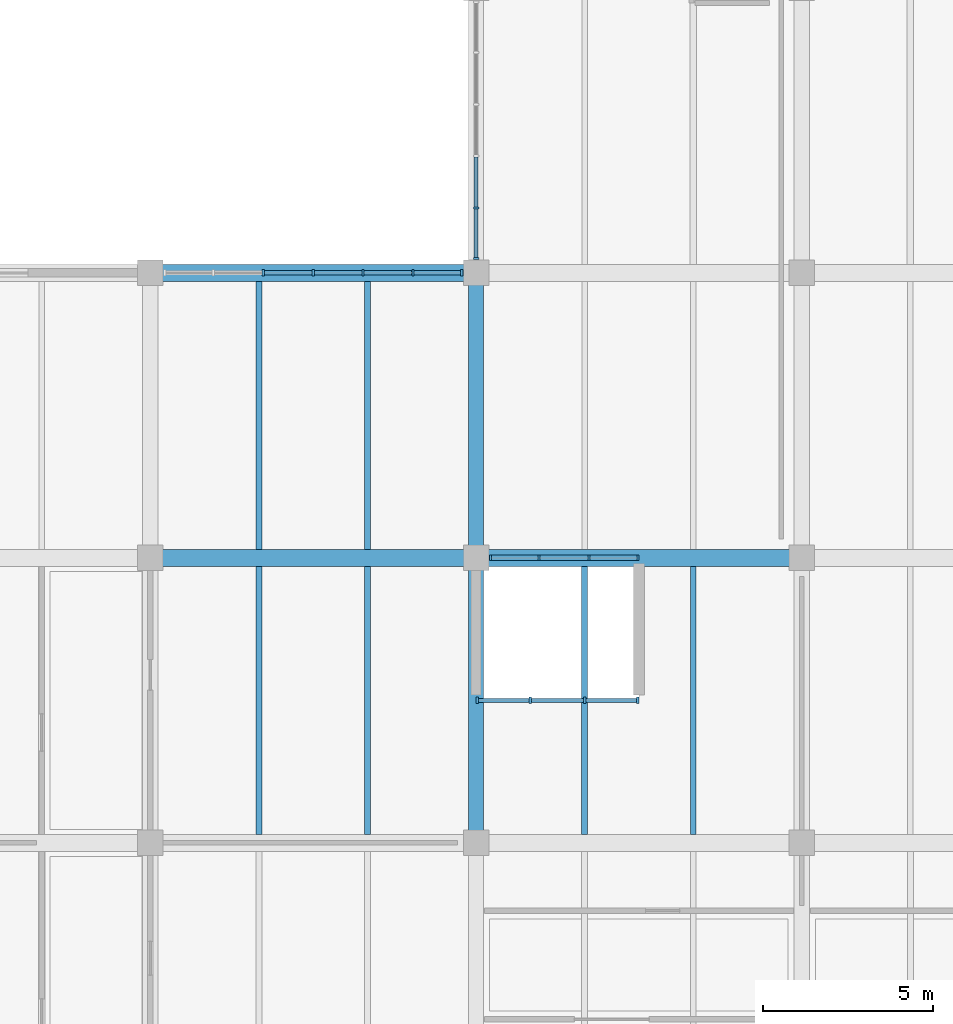
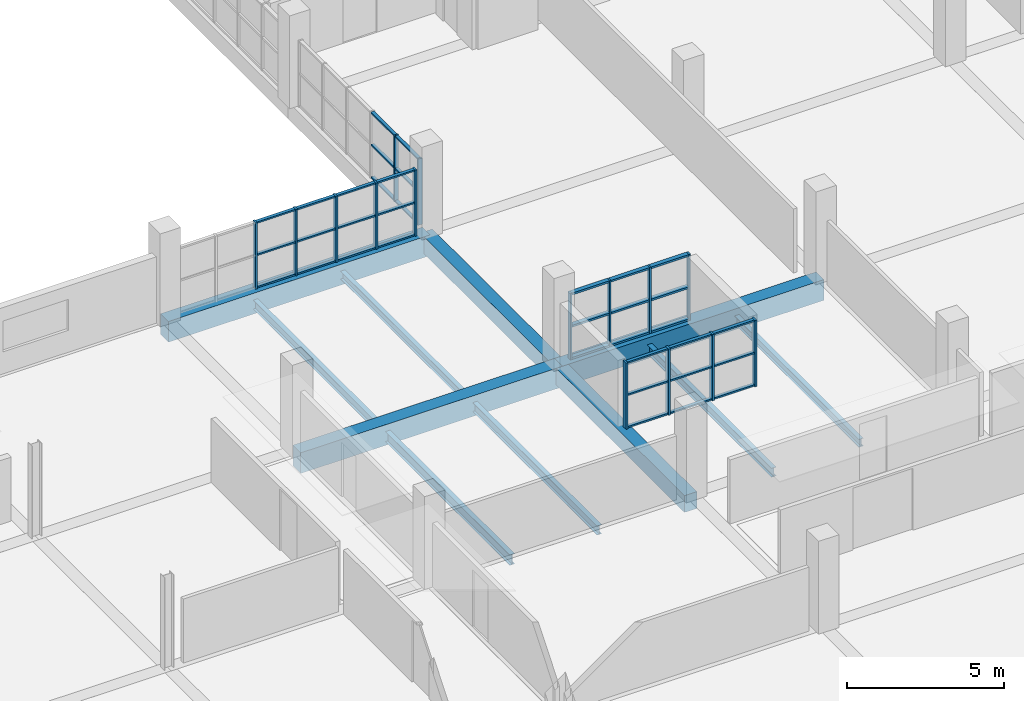
# One storey, part 76 of 147: 51 members, 11 beams, 4 elements without a shape of their own.
"""IFC4 building model written with IfcOpenShell, lengths in metres."""

from ifc_helpers import new_model, si_unit, direction, frame, origin, origin_2d, place, context, subcontext, project, spatial, rectangle, i_section, extrude, material, material_profile, profile_set, type_object, element, aggregate, save


model = new_model("IFC4")

# Units and contexts
model_context = context("Model", 3, precision=1e-05, world=origin(), true_north=direction((0.0, 1.0)))
body_context = subcontext(model_context, "Body", "Model", "MODEL_VIEW")
ifc_project = project(units=[si_unit("LENGTHUNIT", "METRE"), si_unit("AREAUNIT", "SQUARE_METRE"), si_unit("VOLUMEUNIT", "CUBIC_METRE"), si_unit("PLANEANGLEUNIT", "RADIAN"), si_unit("MASSUNIT", "GRAM", prefix="KILO")], contexts=[model_context])

# Site, building, storey
site_placement = place(None, origin())
site = spatial("IfcSite", under=ifc_project, at=site_placement, CompositionType="ELEMENT")
building_placement = place(site_placement, origin())
building = spatial("IfcBuilding", under=site, at=building_placement, Name="Oolite Switchyard Hospital", CompositionType="ELEMENT")
storey_placement = place(building_placement, frame((0.0, 0.0, 9.89990234375)))
storey = spatial("IfcBuildingStorey", under=building, at=storey_placement, Name="L02", CompositionType="ELEMENT", Elevation=9.89990234375)

# Beams
ifc_material_1 = material(Name="Concrete C40/50", Category="concrete")
ifc_material_profile_1 = material_profile(ifc_material_1, rectangle(XDim=0.449951171875, YDim=0.64990234375, at=origin_2d()), Name="RCB450X650")
ifc_profile_set_1 = profile_set([ifc_material_profile_1], Name="Concrete C40/50")
beam_type_1 = type_object("IfcBeamType", Name="BM-RC450X650", PredefinedType="BEAM", material=ifc_profile_set_1)
beam_1_placement = place(storey_placement, frame((134.39990234375, 92.39990234375, -0.324951171875), z_axis=(0.0, 1.0, 0.0), x_axis=(-1.0, 0.0, 0.0)))
element("IfcBeam", 1, at=beam_1_placement, inside=storey, type_object=beam_type_1, Name="L02 Y-Girder 1409", PredefinedType="BEAM", context=body_context, shape_type="SweptSolid", body=[
    extrude(rectangle(XDim=0.449951171875, YDim=0.64990234375, at=origin_2d()), origin(), (0.0, 0.0, 1.0), 8.400146484375),
])
beam_2_placement = place(storey_placement, frame((134.39990234375, 100.800048828125, -0.324951171875), z_axis=(0.0, 1.0, 0.0), x_axis=(-1.0, 0.0, 0.0)))
element("IfcBeam", 2, at=beam_2_placement, inside=storey, type_object=beam_type_1, Name="L02 Y-Girder 1410", PredefinedType="BEAM", context=body_context, shape_type="SweptSolid", body=[
    extrude(rectangle(XDim=0.449951171875, YDim=0.64990234375, at=origin_2d()), origin(), (0.0, 0.0, 1.0), 8.39990234375),
])
ifc_material_profile_2 = material_profile(ifc_material_1, rectangle(XDim=0.5, YDim=0.800048828125, at=origin_2d()), Name="RCB500X800")
ifc_profile_set_2 = profile_set([ifc_material_profile_2], Name="Concrete C40/50")
beam_type_2 = type_object("IfcBeamType", Name="BM-RC500X800", PredefinedType="BEAM", material=ifc_profile_set_2)
beam_3_placement = place(storey_placement, frame((124.800048828125, 100.800048828125, -0.39990234375), z_axis=(1.0, 0.0, 0.0), x_axis=(0.0, 1.0, 0.0)))
element("IfcBeam", 3, at=beam_3_placement, inside=storey, type_object=beam_type_2, Name="L02 X-Girder 1173", PredefinedType="BEAM", context=body_context, shape_type="SweptSolid", body=[
    extrude(rectangle(XDim=0.5, YDim=0.800048828125, at=origin_2d()), origin(), (0.0, 0.0, 1.0), 9.599853515625),
])
beam_4_placement = place(storey_placement, frame((134.39990234375, 100.800048828125, -0.39990234375), z_axis=(1.0, 0.0, 0.0), x_axis=(0.0, 1.0, 0.0)))
element("IfcBeam", 4, at=beam_4_placement, inside=storey, type_object=beam_type_2, Name="L02 X-Girder 1174", PredefinedType="BEAM", context=body_context, shape_type="SweptSolid", body=[
    extrude(rectangle(XDim=0.5, YDim=0.800048828125, at=origin_2d()), origin(), (0.0, 0.0, 1.0), 9.60009765625),
])
beam_5_placement = place(storey_placement, frame((124.800048828125, 109.199951171875, -0.39990234375), z_axis=(1.0, 0.0, 0.0), x_axis=(0.0, 1.0, 0.0)))
element("IfcBeam", 5, at=beam_5_placement, inside=storey, type_object=beam_type_2, Name="L02 X-Girder 1194", PredefinedType="BEAM", context=body_context, shape_type="SweptSolid", body=[
    extrude(rectangle(XDim=0.5, YDim=0.800048828125, at=origin_2d()), origin(), (0.0, 0.0, 1.0), 9.599853515625),
])
ifc_material_2 = material(Name="Steel ASTM A992 Grade 50", Category="steel")
ifc_material_profile_3 = material_profile(ifc_material_2, i_section(OverallWidth=0.1650390625, OverallDepth=0.31005859375, WebThickness=0.006103515625, FlangeThickness=0.010009765625, at=origin_2d()), Name="W12X26")
ifc_profile_set_3 = profile_set([ifc_material_profile_3], Name="Steel ASTM A992 Grade 50")
beam_type_3 = type_object("IfcBeamType", Name="BM-W12X26", PredefinedType="JOIST", material=ifc_profile_set_3)
beam_6_placement = place(storey_placement, frame((131.199951171875, 101.050048828125, -0.414794921875), z_axis=(0.0, 1.0, 0.0), x_axis=(-1.0, 0.0, 0.0)))
element("IfcBeam", 6, at=beam_6_placement, inside=storey, type_object=beam_type_3, Name="L02 Secondary Steel Joist 1763", PredefinedType="JOIST", context=body_context, shape_type="SweptSolid", body=[
    extrude(i_section(OverallWidth=0.1650390625, OverallDepth=0.31005859375, WebThickness=0.006103515625, FlangeThickness=0.010009765625, at=origin_2d()), origin(), (0.0, 0.0, 1.0), 7.89990234375),
])
beam_7_placement = place(storey_placement, frame((140.800048828125, 92.64990234375, -0.414794921875), z_axis=(0.0, 1.0, 0.0), x_axis=(-1.0, 0.0, 0.0)))
element("IfcBeam", 7, at=beam_7_placement, inside=storey, type_object=beam_type_3, Name="L02 Secondary Steel Joist 1783", PredefinedType="JOIST", context=body_context, shape_type="SweptSolid", body=[
    extrude(i_section(OverallWidth=0.1650390625, OverallDepth=0.31005859375, WebThickness=0.006103515625, FlangeThickness=0.010009765625, at=origin_2d()), origin(), (0.0, 0.0, 1.0), 7.900146484375),
])
ifc_material_profile_4 = material_profile(ifc_material_2, i_section(OverallWidth=0.1708984375, OverallDepth=0.35107421875, WebThickness=0.007080078125, FlangeThickness=0.010009765625, at=origin_2d()), Name="W14X30")
ifc_profile_set_4 = profile_set([ifc_material_profile_4], Name="Steel ASTM A992 Grade 50")
beam_type_4 = type_object("IfcBeamType", Name="BM-W14X30", PredefinedType="JOIST", material=ifc_profile_set_4)
beam_8_placement = place(storey_placement, frame((131.199951171875, 92.64990234375, -0.434814453125), z_axis=(0.0, 1.0, 0.0), x_axis=(-1.0, 0.0, 0.0)))
element("IfcBeam", 8, at=beam_8_placement, inside=storey, type_object=beam_type_4, Name="L02 Secondary Steel Joist 1761", PredefinedType="JOIST", context=body_context, shape_type="SweptSolid", body=[
    extrude(i_section(OverallWidth=0.1708984375, OverallDepth=0.35107421875, WebThickness=0.007080078125, FlangeThickness=0.010009765625, at=origin_2d()), origin(), (0.0, 0.0, 1.0), 7.900146484375),
])
beam_9_placement = place(storey_placement, frame((128.0, 101.050048828125, -0.434814453125), z_axis=(0.0, 1.0, 0.0), x_axis=(-1.0, 0.0, 0.0)))
element("IfcBeam", 9, at=beam_9_placement, inside=storey, type_object=beam_type_4, Name="L02 Secondary Steel Joist 1762", PredefinedType="JOIST", context=body_context, shape_type="SweptSolid", body=[
    extrude(i_section(OverallWidth=0.1708984375, OverallDepth=0.35107421875, WebThickness=0.007080078125, FlangeThickness=0.010009765625, at=origin_2d()), origin(), (0.0, 0.0, 1.0), 7.89990234375),
])
beam_10_placement = place(storey_placement, frame((137.60009765625, 92.64990234375, -0.434814453125), z_axis=(0.0, 1.0, 0.0), x_axis=(-1.0, 0.0, 0.0)))
element("IfcBeam", 10, at=beam_10_placement, inside=storey, type_object=beam_type_4, Name="L02 Secondary Steel Joist 1782", PredefinedType="JOIST", context=body_context, shape_type="SweptSolid", body=[
    extrude(i_section(OverallWidth=0.1708984375, OverallDepth=0.35107421875, WebThickness=0.007080078125, FlangeThickness=0.010009765625, at=origin_2d()), origin(), (0.0, 0.0, 1.0), 7.900146484375),
])
ifc_material_profile_5 = material_profile(ifc_material_2, i_section(OverallWidth=0.177978515625, OverallDepth=0.403076171875, WebThickness=0.008056640625, FlangeThickness=0.010986328125, at=origin_2d()), Name="W16X36")
ifc_profile_set_5 = profile_set([ifc_material_profile_5], Name="Steel ASTM A992 Grade 50")
beam_type_5 = type_object("IfcBeamType", Name="BM-W16X36", PredefinedType="JOIST", material=ifc_profile_set_5)
beam_11_placement = place(storey_placement, frame((128.0, 92.64990234375, -0.4609375), z_axis=(0.0, 1.0, 0.0), x_axis=(-1.0, 0.0, 0.0)))
element("IfcBeam", 11, at=beam_11_placement, inside=storey, type_object=beam_type_5, Name="L02 Secondary Steel Joist 1760", PredefinedType="JOIST", context=body_context, shape_type="SweptSolid", body=[
    extrude(i_section(OverallWidth=0.177978515625, OverallDepth=0.403076171875, WebThickness=0.008056640625, FlangeThickness=0.010986328125, at=origin_2d()), origin(), (0.0, 0.0, 1.0), 7.900146484375),
])

# Curtain wall, members
ifc_material_3 = material(Name="Thermally broken aluminum frame with laminated impact glazing", Category="aluminium")
curtain_wall_type_1 = type_object("IfcCurtainWallType", Name="CW-UNIT-84X36", PredefinedType="USERDEFINED", material=ifc_material_3)
curtain_wall_1_placement = place(storey_placement, origin())
curtain_wall_1 = element("IfcCurtainWall", 12, at=curtain_wall_1_placement, inside=storey, type_object=curtain_wall_type_1, Name="L02 Unitised Curtain Wall 259", ObjectType="UNITISED", PredefinedType="USERDEFINED")
ifc_material_4 = material(Name="Aluminium 6063-T6", Category="aluminium")
ifc_material_profile_6 = material_profile(ifc_material_4, rectangle(XDim=0.159912109375, YDim=0.06005859375, at=origin_2d()), Name="CWM60X160")
ifc_profile_set_6 = profile_set([ifc_material_profile_6], Name="Aluminium 6063-T6")
member_type_1 = type_object("IfcMemberType", Name="CW-MUL-180", PredefinedType="MULLION", material=ifc_profile_set_6)
member_1_placement = place(storey_placement, frame((139.169921875, 100.800048828125, 0.0), z_axis=(0.0, 0.0, 1.0), x_axis=(0.0, -1.0, 0.0)))
member_1 = element("IfcMember", 13, at=member_1_placement, type_object=member_type_1, Name="CW-08 mullion 1", PredefinedType="MULLION", context=body_context, shape_type="SweptSolid", body=[
    extrude(rectangle(XDim=0.159912109375, YDim=0.06005859375, at=origin_2d()), origin(), (0.0, 0.0, 1.0), 2.570068359375),
])
member_2_placement = place(storey_placement, frame((137.72998046875, 100.800048828125, 0.0), z_axis=(0.0, 0.0, 1.0), x_axis=(0.0, -1.0, 0.0)))
member_2 = element("IfcMember", 14, at=member_2_placement, type_object=member_type_1, Name="CW-08 mullion 2", PredefinedType="MULLION", context=body_context, shape_type="SweptSolid", body=[
    extrude(rectangle(XDim=0.159912109375, YDim=0.06005859375, at=origin_2d()), origin(), (0.0, 0.0, 1.0), 2.570068359375),
])
member_3_placement = place(storey_placement, frame((136.260009765625, 100.800048828125, 0.0), z_axis=(0.0, 0.0, 1.0), x_axis=(0.0, -1.0, 0.0)))
member_3 = element("IfcMember", 15, at=member_3_placement, type_object=member_type_1, Name="CW-08 mullion 3", PredefinedType="MULLION", context=body_context, shape_type="SweptSolid", body=[
    extrude(rectangle(XDim=0.159912109375, YDim=0.06005859375, at=origin_2d()), origin(), (0.0, 0.0, 1.0), 2.570068359375),
])
member_4_placement = place(storey_placement, frame((134.820068359375, 100.800048828125, 0.0), z_axis=(0.0, 0.0, 1.0), x_axis=(0.0, -1.0, 0.0)))
member_4 = element("IfcMember", 16, at=member_4_placement, type_object=member_type_1, Name="CW-08 mullion 4", PredefinedType="MULLION", context=body_context, shape_type="SweptSolid", body=[
    extrude(rectangle(XDim=0.159912109375, YDim=0.06005859375, at=origin_2d()), origin(), (0.0, 0.0, 1.0), 2.570068359375),
])

curtain_wall_2_placement = place(storey_placement, origin())
curtain_wall_2 = element("IfcCurtainWall", 17, at=curtain_wall_2_placement, inside=storey, type_object=curtain_wall_type_1, Name="L02 Unitised Curtain Wall 298", ObjectType="UNITISED", PredefinedType="USERDEFINED")
member_5_placement = place(storey_placement, frame((134.39990234375, 109.6201171875, 0.0), z_axis=(0.0, 0.0, 1.0), x_axis=(-1.0, 0.0, 0.0)))
member_5 = element("IfcMember", 18, at=member_5_placement, type_object=member_type_1, Name="CW-08 mullion 1", PredefinedType="MULLION", context=body_context, shape_type="SweptSolid", body=[
    extrude(rectangle(XDim=0.159912109375, YDim=0.06005859375, at=origin_2d()), origin(), (0.0, 0.0, 1.0), 2.570068359375),
])
member_6_placement = place(storey_placement, frame((134.39990234375, 111.114013671875, 0.0), z_axis=(0.0, 0.0, 1.0), x_axis=(-1.0, 0.0, 0.0)))
member_6 = element("IfcMember", 19, at=member_6_placement, type_object=member_type_1, Name="CW-08 mullion 2", PredefinedType="MULLION", context=body_context, shape_type="SweptSolid", body=[
    extrude(rectangle(XDim=0.159912109375, YDim=0.06005859375, at=origin_2d()), origin(), (0.0, 0.0, 1.0), 2.570068359375),
])

curtain_wall_type_2 = type_object("IfcCurtainWallType", Name="CW-UNIT-96X36", PredefinedType="USERDEFINED", material=ifc_material_3)
curtain_wall_3_placement = place(storey_placement, origin())
curtain_wall_3 = element("IfcCurtainWall", 20, at=curtain_wall_3_placement, inside=storey, type_object=curtain_wall_type_2, Name="L02 Unitised Curtain Wall 266", ObjectType="UNITISED", PredefinedType="USERDEFINED")
ifc_material_profile_7 = material_profile(ifc_material_4, rectangle(XDim=0.179931640625, YDim=0.070068359375, at=origin_2d()), Name="CWM70X180")
ifc_profile_set_7 = profile_set([ifc_material_profile_7], Name="Aluminium 6063-T6")
member_type_2 = type_object("IfcMemberType", Name="CW-MUL-220", PredefinedType="MULLION", material=ifc_profile_set_7)
member_7_placement = place(storey_placement, frame((128.1298828125, 109.199951171875, 0.0), z_axis=(0.0, 0.0, 1.0), x_axis=(0.0, 1.0, 0.0)))
member_7 = element("IfcMember", 21, at=member_7_placement, type_object=member_type_2, Name="CW-03 mullion 3", PredefinedType="MULLION", context=body_context, shape_type="SweptSolid", body=[
    extrude(rectangle(XDim=0.179931640625, YDim=0.070068359375, at=origin_2d()), origin(), (0.0, 0.0, 1.0), 2.570068359375),
])
member_8_placement = place(storey_placement, frame((129.60009765625, 109.199951171875, 0.0), z_axis=(0.0, 0.0, 1.0), x_axis=(0.0, 1.0, 0.0)))
member_8 = element("IfcMember", 22, at=member_8_placement, type_object=member_type_2, Name="CW-03 mullion 4", PredefinedType="MULLION", context=body_context, shape_type="SweptSolid", body=[
    extrude(rectangle(XDim=0.179931640625, YDim=0.070068359375, at=origin_2d()), origin(), (0.0, 0.0, 1.0), 2.570068359375),
])
member_9_placement = place(storey_placement, frame((131.070068359375, 109.199951171875, 0.0), z_axis=(0.0, 0.0, 1.0), x_axis=(0.0, 1.0, 0.0)))
member_9 = element("IfcMember", 23, at=member_9_placement, type_object=member_type_2, Name="CW-03 mullion 5", PredefinedType="MULLION", context=body_context, shape_type="SweptSolid", body=[
    extrude(rectangle(XDim=0.179931640625, YDim=0.070068359375, at=origin_2d()), origin(), (0.0, 0.0, 1.0), 2.570068359375),
])
member_10_placement = place(storey_placement, frame((132.5400390625, 109.199951171875, 0.0), z_axis=(0.0, 0.0, 1.0), x_axis=(0.0, 1.0, 0.0)))
member_10 = element("IfcMember", 24, at=member_10_placement, type_object=member_type_2, Name="CW-03 mullion 6", PredefinedType="MULLION", context=body_context, shape_type="SweptSolid", body=[
    extrude(rectangle(XDim=0.179931640625, YDim=0.070068359375, at=origin_2d()), origin(), (0.0, 0.0, 1.0), 2.570068359375),
])
member_11_placement = place(storey_placement, frame((133.97509765625, 109.199951171875, 0.0), z_axis=(0.0, 0.0, 1.0), x_axis=(0.0, 1.0, 0.0)))
member_11 = element("IfcMember", 25, at=member_11_placement, type_object=member_type_2, Name="CW-03 mullion 7", PredefinedType="MULLION", context=body_context, shape_type="SweptSolid", body=[
    extrude(rectangle(XDim=0.179931640625, YDim=0.070068359375, at=origin_2d()), origin(), (0.0, 0.0, 1.0), 2.570068359375),
])

curtain_wall_4_placement = place(storey_placement, origin())
curtain_wall_4 = element("IfcCurtainWall", 26, at=curtain_wall_4_placement, inside=storey, type_object=curtain_wall_type_1, Name="L02 Unitised Curtain Wall 258", ObjectType="UNITISED", PredefinedType="USERDEFINED")
ifc_material_profile_8 = material_profile(ifc_material_4, rectangle(XDim=0.199951171875, YDim=0.074951171875, at=origin_2d()), Name="CWM75X200")
ifc_profile_set_8 = profile_set([ifc_material_profile_8], Name="Aluminium 6063-T6")
member_type_3 = type_object("IfcMemberType", Name="CW-MUL-260", PredefinedType="MULLION", material=ifc_profile_set_8)
member_12_placement = place(storey_placement, frame((134.4375, 96.60009765625, 0.0), z_axis=(0.0, 0.0, 1.0), x_axis=(0.0, 1.0, 0.0)))
member_12 = element("IfcMember", 27, at=member_12_placement, type_object=member_type_3, Name="CW-08 mullion 1", PredefinedType="MULLION", context=body_context, shape_type="SweptSolid", body=[
    extrude(rectangle(XDim=0.199951171875, YDim=0.074951171875, at=origin_2d()), origin(), (0.0, 0.0, 1.0), 2.570068359375),
])
member_13_placement = place(storey_placement, frame((136.0, 96.60009765625, 0.0), z_axis=(0.0, 0.0, 1.0), x_axis=(0.0, 1.0, 0.0)))
member_13 = element("IfcMember", 28, at=member_13_placement, type_object=member_type_3, Name="CW-08 mullion 2", PredefinedType="MULLION", context=body_context, shape_type="SweptSolid", body=[
    extrude(rectangle(XDim=0.199951171875, YDim=0.074951171875, at=origin_2d()), origin(), (0.0, 0.0, 1.0), 2.570068359375),
])
member_14_placement = place(storey_placement, frame((137.60009765625, 96.60009765625, 0.0), z_axis=(0.0, 0.0, 1.0), x_axis=(0.0, 1.0, 0.0)))
member_14 = element("IfcMember", 29, at=member_14_placement, type_object=member_type_3, Name="CW-08 mullion 3", PredefinedType="MULLION", context=body_context, shape_type="SweptSolid", body=[
    extrude(rectangle(XDim=0.199951171875, YDim=0.074951171875, at=origin_2d()), origin(), (0.0, 0.0, 1.0), 2.570068359375),
])
member_15_placement = place(storey_placement, frame((139.16259765625, 96.60009765625, 0.0), z_axis=(0.0, 0.0, 1.0), x_axis=(0.0, 1.0, 0.0)))
member_15 = element("IfcMember", 30, at=member_15_placement, type_object=member_type_3, Name="CW-08 mullion 4", PredefinedType="MULLION", context=body_context, shape_type="SweptSolid", body=[
    extrude(rectangle(XDim=0.199951171875, YDim=0.074951171875, at=origin_2d()), origin(), (0.0, 0.0, 1.0), 2.570068359375),
])
ifc_material_profile_9 = material_profile(ifc_material_4, rectangle(XDim=0.1201171875, YDim=0.06005859375, at=origin_2d()), Name="CWT60X120")
ifc_profile_set_9 = profile_set([ifc_material_profile_9], Name="Aluminium 6063-T6")
member_type_4 = type_object("IfcMemberType", Name="CW-TRN-150", PredefinedType="USERDEFINED", material=ifc_profile_set_9)
member_16_placement = place(storey_placement, frame((134.47509765625, 96.60009765625, 0.030029296875), z_axis=(1.0, 0.0, 0.0), x_axis=(0.0, 1.0, 0.0)))
member_16 = element("IfcMember", 31, at=member_16_placement, type_object=member_type_4, Name="CW-08 transom 1.1", ObjectType="TRANSOM", PredefinedType="USERDEFINED", context=body_context, shape_type="SweptSolid", body=[
    extrude(rectangle(XDim=0.1201171875, YDim=0.06005859375, at=origin_2d()), origin(), (0.0, 0.0, 1.0), 1.4873046875),
])
member_17_placement = place(storey_placement, frame((134.47509765625, 96.60009765625, 1.28515625), z_axis=(1.0, 0.0, 0.0), x_axis=(0.0, 1.0, 0.0)))
member_17 = element("IfcMember", 32, at=member_17_placement, type_object=member_type_4, Name="CW-08 transom 1.2", ObjectType="TRANSOM", PredefinedType="USERDEFINED", context=body_context, shape_type="SweptSolid", body=[
    extrude(rectangle(XDim=0.1201171875, YDim=0.06005859375, at=origin_2d()), origin(), (0.0, 0.0, 1.0), 1.4873046875),
])
member_18_placement = place(storey_placement, frame((134.47509765625, 96.60009765625, 2.5400390625), z_axis=(1.0, 0.0, 0.0), x_axis=(0.0, 1.0, 0.0)))
member_18 = element("IfcMember", 33, at=member_18_placement, type_object=member_type_4, Name="CW-08 transom 1.3", ObjectType="TRANSOM", PredefinedType="USERDEFINED", context=body_context, shape_type="SweptSolid", body=[
    extrude(rectangle(XDim=0.1201171875, YDim=0.06005859375, at=origin_2d()), origin(), (0.0, 0.0, 1.0), 1.4873046875),
])
member_19_placement = place(storey_placement, frame((136.03759765625, 96.60009765625, 0.030029296875), z_axis=(1.0, 0.0, 0.0), x_axis=(0.0, 1.0, 0.0)))
member_19 = element("IfcMember", 34, at=member_19_placement, type_object=member_type_4, Name="CW-08 transom 2.1", ObjectType="TRANSOM", PredefinedType="USERDEFINED", context=body_context, shape_type="SweptSolid", body=[
    extrude(rectangle(XDim=0.1201171875, YDim=0.06005859375, at=origin_2d()), origin(), (0.0, 0.0, 1.0), 1.52490234375),
])
member_20_placement = place(storey_placement, frame((136.03759765625, 96.60009765625, 1.28515625), z_axis=(1.0, 0.0, 0.0), x_axis=(0.0, 1.0, 0.0)))
member_20 = element("IfcMember", 35, at=member_20_placement, type_object=member_type_4, Name="CW-08 transom 2.2", ObjectType="TRANSOM", PredefinedType="USERDEFINED", context=body_context, shape_type="SweptSolid", body=[
    extrude(rectangle(XDim=0.1201171875, YDim=0.06005859375, at=origin_2d()), origin(), (0.0, 0.0, 1.0), 1.52490234375),
])
member_21_placement = place(storey_placement, frame((136.03759765625, 96.60009765625, 2.5400390625), z_axis=(1.0, 0.0, 0.0), x_axis=(0.0, 1.0, 0.0)))
member_21 = element("IfcMember", 36, at=member_21_placement, type_object=member_type_4, Name="CW-08 transom 2.3", ObjectType="TRANSOM", PredefinedType="USERDEFINED", context=body_context, shape_type="SweptSolid", body=[
    extrude(rectangle(XDim=0.1201171875, YDim=0.06005859375, at=origin_2d()), origin(), (0.0, 0.0, 1.0), 1.52490234375),
])
member_22_placement = place(storey_placement, frame((137.637451171875, 96.60009765625, 0.030029296875), z_axis=(1.0, 0.0, 0.0), x_axis=(0.0, 1.0, 0.0)))
member_22 = element("IfcMember", 37, at=member_22_placement, type_object=member_type_4, Name="CW-08 transom 3.1", ObjectType="TRANSOM", PredefinedType="USERDEFINED", context=body_context, shape_type="SweptSolid", body=[
    extrude(rectangle(XDim=0.1201171875, YDim=0.06005859375, at=origin_2d()), origin(), (0.0, 0.0, 1.0), 1.487548828125),
])
member_23_placement = place(storey_placement, frame((137.637451171875, 96.60009765625, 1.28515625), z_axis=(1.0, 0.0, 0.0), x_axis=(0.0, 1.0, 0.0)))
member_23 = element("IfcMember", 38, at=member_23_placement, type_object=member_type_4, Name="CW-08 transom 3.2", ObjectType="TRANSOM", PredefinedType="USERDEFINED", context=body_context, shape_type="SweptSolid", body=[
    extrude(rectangle(XDim=0.1201171875, YDim=0.06005859375, at=origin_2d()), origin(), (0.0, 0.0, 1.0), 1.487548828125),
])
member_24_placement = place(storey_placement, frame((137.637451171875, 96.60009765625, 2.5400390625), z_axis=(1.0, 0.0, 0.0), x_axis=(0.0, 1.0, 0.0)))
member_24 = element("IfcMember", 39, at=member_24_placement, type_object=member_type_4, Name="CW-08 transom 3.3", ObjectType="TRANSOM", PredefinedType="USERDEFINED", context=body_context, shape_type="SweptSolid", body=[
    extrude(rectangle(XDim=0.1201171875, YDim=0.06005859375, at=origin_2d()), origin(), (0.0, 0.0, 1.0), 1.487548828125),
])
aggregate(curtain_wall_4, [member_12, member_13, member_14, member_15, member_16, member_17, member_18, member_19, member_20, member_21, member_22, member_23, member_24])

# Member
member_25_placement = place(storey_placement, frame((128.1650390625, 109.199951171875, 0.030029296875), z_axis=(1.0, 0.0, 0.0), x_axis=(0.0, 1.0, 0.0)))
member_25 = element("IfcMember", 40, at=member_25_placement, type_object=member_type_4, Name="CW-03 transom 3.1", ObjectType="TRANSOM", PredefinedType="USERDEFINED", context=body_context, shape_type="SweptSolid", body=[
    extrude(rectangle(XDim=0.1201171875, YDim=0.06005859375, at=origin_2d()), origin(), (0.0, 0.0, 1.0), 1.39990234375),
])

member_26_placement = place(storey_placement, frame((128.1650390625, 109.199951171875, 1.28515625), z_axis=(1.0, 0.0, 0.0), x_axis=(0.0, 1.0, 0.0)))
member_26 = element("IfcMember", 41, at=member_26_placement, type_object=member_type_4, Name="CW-03 transom 3.2", ObjectType="TRANSOM", PredefinedType="USERDEFINED", context=body_context, shape_type="SweptSolid", body=[
    extrude(rectangle(XDim=0.1201171875, YDim=0.06005859375, at=origin_2d()), origin(), (0.0, 0.0, 1.0), 1.39990234375),
])

member_27_placement = place(storey_placement, frame((128.1650390625, 109.199951171875, 2.5400390625), z_axis=(1.0, 0.0, 0.0), x_axis=(0.0, 1.0, 0.0)))
member_27 = element("IfcMember", 42, at=member_27_placement, type_object=member_type_4, Name="CW-03 transom 3.3", ObjectType="TRANSOM", PredefinedType="USERDEFINED", context=body_context, shape_type="SweptSolid", body=[
    extrude(rectangle(XDim=0.1201171875, YDim=0.06005859375, at=origin_2d()), origin(), (0.0, 0.0, 1.0), 1.39990234375),
])

member_28_placement = place(storey_placement, frame((129.635009765625, 109.199951171875, 0.030029296875), z_axis=(1.0, 0.0, 0.0), x_axis=(0.0, 1.0, 0.0)))
member_28 = element("IfcMember", 43, at=member_28_placement, type_object=member_type_4, Name="CW-03 transom 4.1", ObjectType="TRANSOM", PredefinedType="USERDEFINED", context=body_context, shape_type="SweptSolid", body=[
    extrude(rectangle(XDim=0.1201171875, YDim=0.06005859375, at=origin_2d()), origin(), (0.0, 0.0, 1.0), 1.39990234375),
])

member_29_placement = place(storey_placement, frame((129.635009765625, 109.199951171875, 1.28515625), z_axis=(1.0, 0.0, 0.0), x_axis=(0.0, 1.0, 0.0)))
member_29 = element("IfcMember", 44, at=member_29_placement, type_object=member_type_4, Name="CW-03 transom 4.2", ObjectType="TRANSOM", PredefinedType="USERDEFINED", context=body_context, shape_type="SweptSolid", body=[
    extrude(rectangle(XDim=0.1201171875, YDim=0.06005859375, at=origin_2d()), origin(), (0.0, 0.0, 1.0), 1.39990234375),
])

member_30_placement = place(storey_placement, frame((129.635009765625, 109.199951171875, 2.5400390625), z_axis=(1.0, 0.0, 0.0), x_axis=(0.0, 1.0, 0.0)))
member_30 = element("IfcMember", 45, at=member_30_placement, type_object=member_type_4, Name="CW-03 transom 4.3", ObjectType="TRANSOM", PredefinedType="USERDEFINED", context=body_context, shape_type="SweptSolid", body=[
    extrude(rectangle(XDim=0.1201171875, YDim=0.06005859375, at=origin_2d()), origin(), (0.0, 0.0, 1.0), 1.39990234375),
])

member_31_placement = place(storey_placement, frame((131.10498046875, 109.199951171875, 0.030029296875), z_axis=(1.0, 0.0, 0.0), x_axis=(0.0, 1.0, 0.0)))
member_31 = element("IfcMember", 46, at=member_31_placement, type_object=member_type_4, Name="CW-03 transom 5.1", ObjectType="TRANSOM", PredefinedType="USERDEFINED", context=body_context, shape_type="SweptSolid", body=[
    extrude(rectangle(XDim=0.1201171875, YDim=0.06005859375, at=origin_2d()), origin(), (0.0, 0.0, 1.0), 1.39990234375),
])

member_32_placement = place(storey_placement, frame((131.10498046875, 109.199951171875, 1.28515625), z_axis=(1.0, 0.0, 0.0), x_axis=(0.0, 1.0, 0.0)))
member_32 = element("IfcMember", 47, at=member_32_placement, type_object=member_type_4, Name="CW-03 transom 5.2", ObjectType="TRANSOM", PredefinedType="USERDEFINED", context=body_context, shape_type="SweptSolid", body=[
    extrude(rectangle(XDim=0.1201171875, YDim=0.06005859375, at=origin_2d()), origin(), (0.0, 0.0, 1.0), 1.39990234375),
])

member_33_placement = place(storey_placement, frame((131.10498046875, 109.199951171875, 2.5400390625), z_axis=(1.0, 0.0, 0.0), x_axis=(0.0, 1.0, 0.0)))
member_33 = element("IfcMember", 48, at=member_33_placement, type_object=member_type_4, Name="CW-03 transom 5.3", ObjectType="TRANSOM", PredefinedType="USERDEFINED", context=body_context, shape_type="SweptSolid", body=[
    extrude(rectangle(XDim=0.1201171875, YDim=0.06005859375, at=origin_2d()), origin(), (0.0, 0.0, 1.0), 1.39990234375),
])

member_34_placement = place(storey_placement, frame((132.574951171875, 109.199951171875, 0.030029296875), z_axis=(1.0, 0.0, 0.0), x_axis=(0.0, 1.0, 0.0)))
member_34 = element("IfcMember", 49, at=member_34_placement, type_object=member_type_4, Name="CW-03 transom 6.1", ObjectType="TRANSOM", PredefinedType="USERDEFINED", context=body_context, shape_type="SweptSolid", body=[
    extrude(rectangle(XDim=0.1201171875, YDim=0.06005859375, at=origin_2d()), origin(), (0.0, 0.0, 1.0), 1.364990234375),
])

member_35_placement = place(storey_placement, frame((132.574951171875, 109.199951171875, 1.28515625), z_axis=(1.0, 0.0, 0.0), x_axis=(0.0, 1.0, 0.0)))
member_35 = element("IfcMember", 50, at=member_35_placement, type_object=member_type_4, Name="CW-03 transom 6.2", ObjectType="TRANSOM", PredefinedType="USERDEFINED", context=body_context, shape_type="SweptSolid", body=[
    extrude(rectangle(XDim=0.1201171875, YDim=0.06005859375, at=origin_2d()), origin(), (0.0, 0.0, 1.0), 1.364990234375),
])

member_36_placement = place(storey_placement, frame((132.574951171875, 109.199951171875, 2.5400390625), z_axis=(1.0, 0.0, 0.0), x_axis=(0.0, 1.0, 0.0)))
member_36 = element("IfcMember", 51, at=member_36_placement, type_object=member_type_4, Name="CW-03 transom 6.3", ObjectType="TRANSOM", PredefinedType="USERDEFINED", context=body_context, shape_type="SweptSolid", body=[
    extrude(rectangle(XDim=0.1201171875, YDim=0.06005859375, at=origin_2d()), origin(), (0.0, 0.0, 1.0), 1.364990234375),
])

aggregate(curtain_wall_3, [member_7, member_8, member_9, member_10, member_11, member_25, member_26, member_27, member_28, member_29, member_30, member_31, member_32, member_33, member_34, member_35, member_36])

member_37_placement = place(storey_placement, frame((134.39990234375, 109.64990234375, 0.030029296875), z_axis=(0.0, 1.0, 0.0), x_axis=(-1.0, 0.0, 0.0)))
member_37 = element("IfcMember", 52, at=member_37_placement, type_object=member_type_4, Name="CW-08 transom 1.1", ObjectType="TRANSOM", PredefinedType="USERDEFINED", context=body_context, shape_type="SweptSolid", body=[
    extrude(rectangle(XDim=0.1201171875, YDim=0.06005859375, at=origin_2d()), origin(), (0.0, 0.0, 1.0), 1.43408203125),
])

member_38_placement = place(storey_placement, frame((134.39990234375, 109.64990234375, 1.28515625), z_axis=(0.0, 1.0, 0.0), x_axis=(-1.0, 0.0, 0.0)))
member_38 = element("IfcMember", 53, at=member_38_placement, type_object=member_type_4, Name="CW-08 transom 1.2", ObjectType="TRANSOM", PredefinedType="USERDEFINED", context=body_context, shape_type="SweptSolid", body=[
    extrude(rectangle(XDim=0.1201171875, YDim=0.06005859375, at=origin_2d()), origin(), (0.0, 0.0, 1.0), 1.43408203125),
])

member_39_placement = place(storey_placement, frame((134.39990234375, 109.64990234375, 2.5400390625), z_axis=(0.0, 1.0, 0.0), x_axis=(-1.0, 0.0, 0.0)))
member_39 = element("IfcMember", 54, at=member_39_placement, type_object=member_type_4, Name="CW-08 transom 1.3", ObjectType="TRANSOM", PredefinedType="USERDEFINED", context=body_context, shape_type="SweptSolid", body=[
    extrude(rectangle(XDim=0.1201171875, YDim=0.06005859375, at=origin_2d()), origin(), (0.0, 0.0, 1.0), 1.43408203125),
])

member_40_placement = place(storey_placement, frame((134.39990234375, 111.14404296875, 0.030029296875), z_axis=(0.0, 1.0, 0.0), x_axis=(-1.0, 0.0, 0.0)))
member_40 = element("IfcMember", 55, at=member_40_placement, type_object=member_type_4, Name="CW-08 transom 2.1", ObjectType="TRANSOM", PredefinedType="USERDEFINED", context=body_context, shape_type="SweptSolid", body=[
    extrude(rectangle(XDim=0.1201171875, YDim=0.06005859375, at=origin_2d()), origin(), (0.0, 0.0, 1.0), 1.4638671875),
])

member_41_placement = place(storey_placement, frame((134.39990234375, 111.14404296875, 1.28515625), z_axis=(0.0, 1.0, 0.0), x_axis=(-1.0, 0.0, 0.0)))
member_41 = element("IfcMember", 56, at=member_41_placement, type_object=member_type_4, Name="CW-08 transom 2.2", ObjectType="TRANSOM", PredefinedType="USERDEFINED", context=body_context, shape_type="SweptSolid", body=[
    extrude(rectangle(XDim=0.1201171875, YDim=0.06005859375, at=origin_2d()), origin(), (0.0, 0.0, 1.0), 1.4638671875),
])

member_42_placement = place(storey_placement, frame((134.39990234375, 111.14404296875, 2.5400390625), z_axis=(0.0, 1.0, 0.0), x_axis=(-1.0, 0.0, 0.0)))
member_42 = element("IfcMember", 57, at=member_42_placement, type_object=member_type_4, Name="CW-08 transom 2.3", ObjectType="TRANSOM", PredefinedType="USERDEFINED", context=body_context, shape_type="SweptSolid", body=[
    extrude(rectangle(XDim=0.1201171875, YDim=0.06005859375, at=origin_2d()), origin(), (0.0, 0.0, 1.0), 1.4638671875),
])

aggregate(curtain_wall_2, [member_5, member_6, member_37, member_38, member_39, member_40, member_41, member_42])

ifc_material_profile_10 = material_profile(ifc_material_4, rectangle(XDim=0.159912109375, YDim=0.074951171875, at=origin_2d()), Name="CWT75X160")
ifc_profile_set_10 = profile_set([ifc_material_profile_10], Name="Aluminium 6063-T6")
member_type_5 = type_object("IfcMemberType", Name="CW-TRN-180", PredefinedType="USERDEFINED", material=ifc_profile_set_10)
member_43_placement = place(storey_placement, frame((139.139892578125, 100.800048828125, 0.03759765625), z_axis=(-1.0, 0.0, 0.0), x_axis=(0.0, -1.0, 0.0)))
member_43 = element("IfcMember", 58, at=member_43_placement, type_object=member_type_5, Name="CW-08 transom 1.1", ObjectType="TRANSOM", PredefinedType="USERDEFINED", context=body_context, shape_type="SweptSolid", body=[
    extrude(rectangle(XDim=0.159912109375, YDim=0.074951171875, at=origin_2d()), origin(), (0.0, 0.0, 1.0), 1.3798828125),
])

member_44_placement = place(storey_placement, frame((139.139892578125, 100.800048828125, 1.28515625), z_axis=(-1.0, 0.0, 0.0), x_axis=(0.0, -1.0, 0.0)))
member_44 = element("IfcMember", 59, at=member_44_placement, type_object=member_type_5, Name="CW-08 transom 1.2", ObjectType="TRANSOM", PredefinedType="USERDEFINED", context=body_context, shape_type="SweptSolid", body=[
    extrude(rectangle(XDim=0.159912109375, YDim=0.074951171875, at=origin_2d()), origin(), (0.0, 0.0, 1.0), 1.3798828125),
])

member_45_placement = place(storey_placement, frame((139.139892578125, 100.800048828125, 2.53271484375), z_axis=(-1.0, 0.0, 0.0), x_axis=(0.0, -1.0, 0.0)))
member_45 = element("IfcMember", 60, at=member_45_placement, type_object=member_type_5, Name="CW-08 transom 1.3", ObjectType="TRANSOM", PredefinedType="USERDEFINED", context=body_context, shape_type="SweptSolid", body=[
    extrude(rectangle(XDim=0.159912109375, YDim=0.074951171875, at=origin_2d()), origin(), (0.0, 0.0, 1.0), 1.3798828125),
])

member_46_placement = place(storey_placement, frame((137.699951171875, 100.800048828125, 0.03759765625), z_axis=(-1.0, 0.0, 0.0), x_axis=(0.0, -1.0, 0.0)))
member_46 = element("IfcMember", 61, at=member_46_placement, type_object=member_type_5, Name="CW-08 transom 2.1", ObjectType="TRANSOM", PredefinedType="USERDEFINED", context=body_context, shape_type="SweptSolid", body=[
    extrude(rectangle(XDim=0.159912109375, YDim=0.074951171875, at=origin_2d()), origin(), (0.0, 0.0, 1.0), 1.409912109375),
])

member_47_placement = place(storey_placement, frame((137.699951171875, 100.800048828125, 1.28515625), z_axis=(-1.0, 0.0, 0.0), x_axis=(0.0, -1.0, 0.0)))
member_47 = element("IfcMember", 62, at=member_47_placement, type_object=member_type_5, Name="CW-08 transom 2.2", ObjectType="TRANSOM", PredefinedType="USERDEFINED", context=body_context, shape_type="SweptSolid", body=[
    extrude(rectangle(XDim=0.159912109375, YDim=0.074951171875, at=origin_2d()), origin(), (0.0, 0.0, 1.0), 1.409912109375),
])

member_48_placement = place(storey_placement, frame((137.699951171875, 100.800048828125, 2.53271484375), z_axis=(-1.0, 0.0, 0.0), x_axis=(0.0, -1.0, 0.0)))
member_48 = element("IfcMember", 63, at=member_48_placement, type_object=member_type_5, Name="CW-08 transom 2.3", ObjectType="TRANSOM", PredefinedType="USERDEFINED", context=body_context, shape_type="SweptSolid", body=[
    extrude(rectangle(XDim=0.159912109375, YDim=0.074951171875, at=origin_2d()), origin(), (0.0, 0.0, 1.0), 1.409912109375),
])

member_49_placement = place(storey_placement, frame((136.22998046875, 100.800048828125, 0.03759765625), z_axis=(-1.0, 0.0, 0.0), x_axis=(0.0, -1.0, 0.0)))
member_49 = element("IfcMember", 64, at=member_49_placement, type_object=member_type_5, Name="CW-08 transom 3.1", ObjectType="TRANSOM", PredefinedType="USERDEFINED", context=body_context, shape_type="SweptSolid", body=[
    extrude(rectangle(XDim=0.159912109375, YDim=0.074951171875, at=origin_2d()), origin(), (0.0, 0.0, 1.0), 1.3798828125),
])

member_50_placement = place(storey_placement, frame((136.22998046875, 100.800048828125, 1.28515625), z_axis=(-1.0, 0.0, 0.0), x_axis=(0.0, -1.0, 0.0)))
member_50 = element("IfcMember", 65, at=member_50_placement, type_object=member_type_5, Name="CW-08 transom 3.2", ObjectType="TRANSOM", PredefinedType="USERDEFINED", context=body_context, shape_type="SweptSolid", body=[
    extrude(rectangle(XDim=0.159912109375, YDim=0.074951171875, at=origin_2d()), origin(), (0.0, 0.0, 1.0), 1.3798828125),
])

member_51_placement = place(storey_placement, frame((136.22998046875, 100.800048828125, 2.53271484375), z_axis=(-1.0, 0.0, 0.0), x_axis=(0.0, -1.0, 0.0)))
member_51 = element("IfcMember", 66, at=member_51_placement, type_object=member_type_5, Name="CW-08 transom 3.3", ObjectType="TRANSOM", PredefinedType="USERDEFINED", context=body_context, shape_type="SweptSolid", body=[
    extrude(rectangle(XDim=0.159912109375, YDim=0.074951171875, at=origin_2d()), origin(), (0.0, 0.0, 1.0), 1.3798828125),
])

aggregate(curtain_wall_1, [member_1, member_2, member_3, member_4, member_43, member_44, member_45, member_46, member_47, member_48, member_49, member_50, member_51])

save(model, "model.ifc")
